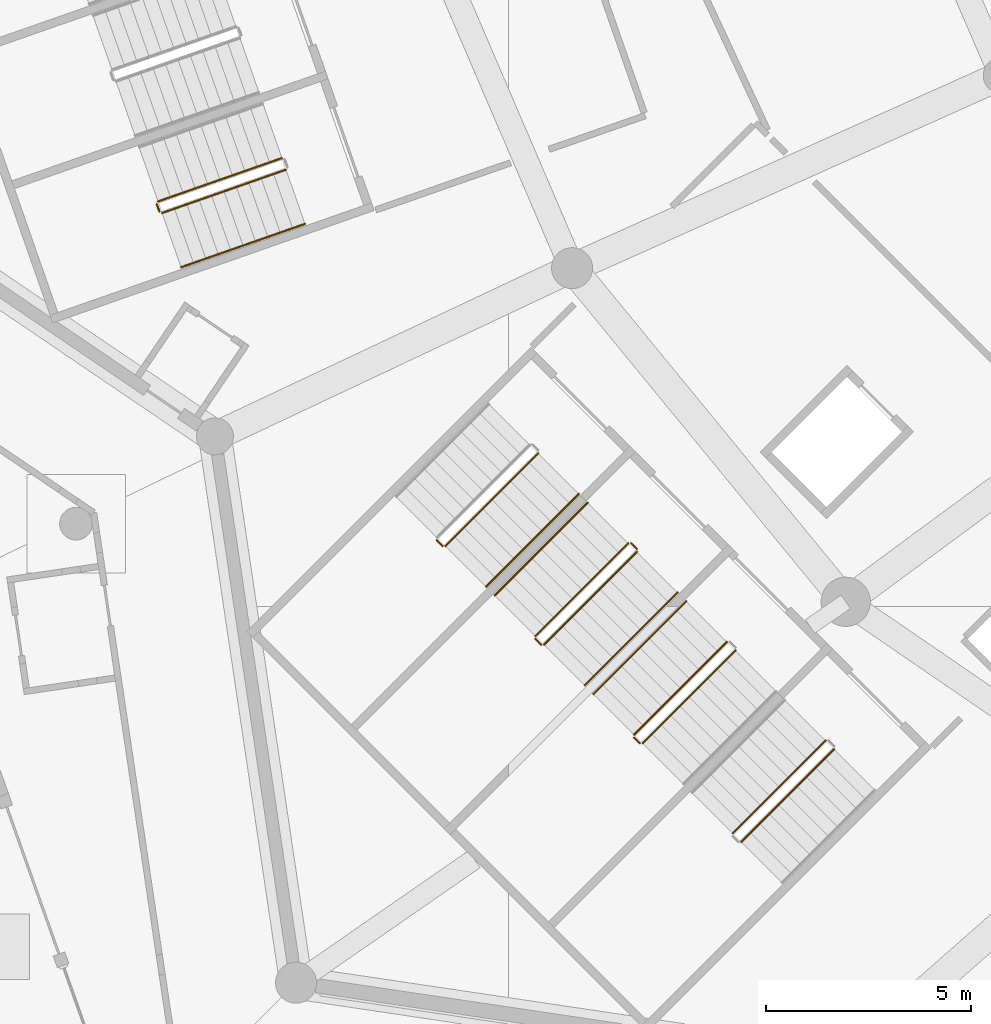
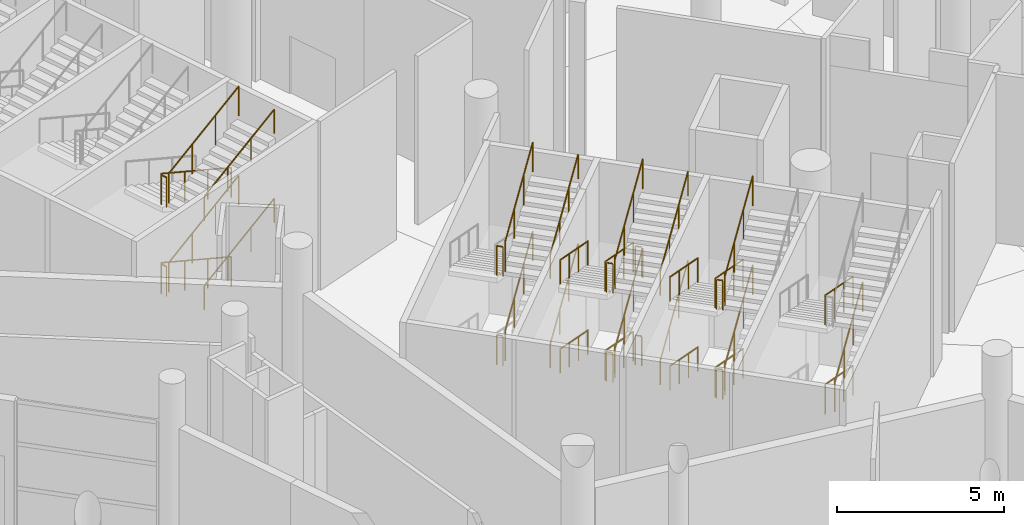
# One storey, part 186 of 255: 37 railings.
"""IFC4 building model written with IfcOpenShell, lengths in metres."""

from ifc_helpers import new_model, si_unit, direction, frame, origin, origin_2d, place, context, subcontext, project, spatial, circle, extrude, material, type_object, element, save


model = new_model("IFC4")

# Units and contexts
model_context = context("Model", 3, precision=1e-05, world=origin(), true_north=direction((0.0, 1.0)))
body_context = subcontext(model_context, "Body", "Model", "MODEL_VIEW")
ifc_project = project(units=[si_unit("LENGTHUNIT", "METRE"), si_unit("AREAUNIT", "SQUARE_METRE"), si_unit("VOLUMEUNIT", "CUBIC_METRE"), si_unit("PLANEANGLEUNIT", "RADIAN"), si_unit("MASSUNIT", "GRAM", prefix="KILO")], contexts=[model_context])

# Site, building, storey
site_placement = place(None, origin())
site = spatial("IfcSite", under=ifc_project, at=site_placement, CompositionType="ELEMENT")
building_placement = place(site_placement, origin())
building = spatial("IfcBuilding", under=site, at=building_placement, Name="Meseta Stadium", CompositionType="ELEMENT")
storey_placement = place(building_placement, origin())
storey = spatial("IfcBuildingStorey", under=building, at=storey_placement, Name="L00", CompositionType="ELEMENT", Elevation=0.0)

# Railings
ifc_material_1 = material(Name="Steel S355", Category="steel")
railing_type_1 = type_object("IfcRailingType", Name="Stair guard 1100", PredefinedType="GUARDRAIL", material=ifc_material_1)
railing_1_placement = place(storey_placement, frame((-85.518310546875, -69.072509765625, 0.147705078125)))
element("IfcRailing", 1, at=railing_1_placement, inside=storey, type_object=railing_type_1, Name="ST80 L00 guard 1", PredefinedType="GUARDRAIL", context=body_context, shape_type="SweptSolid", body=[
    extrude(circle(Radius=0.02392578125, at=origin_2d()), frame((0.0, 0.0, 1.076171875), z_axis=(-0.856976550022, -0.299858671601, 0.419137172986), x_axis=(0.330268863922, -0.943886898693, 0.0)), (0.0, 0.0, 1.0), 3.524658203125),
    extrude(circle(Radius=0.02099609375, at=origin_2d()), origin(), (0.0, 0.0, 1.0), 1.052001953125),
    extrude(circle(Radius=0.02099609375, at=origin_2d()), frame((-1.0068359375, -0.352294921875, 0.492431640625)), (0.0, 0.0, 1.0), 1.052001953125),
    extrude(circle(Radius=0.02099609375, at=origin_2d()), frame((-2.013671875, -0.70458984375, 0.98486328125)), (0.0, 0.0, 1.0), 1.052001953125),
    extrude(circle(Radius=0.02099609375, at=origin_2d()), frame((-3.0205078125, -1.056884765625, 1.477294921875)), (0.0, 0.0, 1.0), 1.052001953125),
])
railing_2_placement = place(storey_placement, frame((-88.569580078125, -70.19287109375, 1.625)))
element("IfcRailing", 2, at=railing_2_placement, inside=storey, type_object=railing_type_1, Name="ST80 L00 guard 2", PredefinedType="GUARDRAIL", context=body_context, shape_type="SweptSolid", body=[
    extrude(circle(Radius=0.02392578125, at=origin_2d()), frame((0.0, 0.0, 1.076171875), z_axis=(0.330459055601, -0.943820328543, 0.0), x_axis=(0.943820328543, 0.330459055601, 0.0)), (0.0, 0.0, 1.0), 0.2001953125),
    extrude(circle(Radius=0.02099609375, at=origin_2d()), origin(), (0.0, 0.0, 1.0), 1.052001953125),
    extrude(circle(Radius=0.02099609375, at=origin_2d()), frame((0.066162109375, -0.18896484375, 0.0)), (0.0, 0.0, 1.0), 1.052001953125),
])
railing_3_placement = place(storey_placement, frame((-88.439697265625, -70.412353515625, 1.772705078125)))
element("IfcRailing", 3, at=railing_3_placement, inside=storey, type_object=railing_type_1, Name="ST80 L00 guard 3", PredefinedType="GUARDRAIL", context=body_context, shape_type="SweptSolid", body=[
    extrude(circle(Radius=0.02392578125, at=origin_2d()), frame((0.0, 0.0, 1.076171875), z_axis=(0.856958151566, 0.299876472244, 0.419162054412), x_axis=(-0.330292648585, 0.943878576031, 0.0)), (0.0, 0.0, 1.0), 3.5244140625),
    extrude(circle(Radius=0.02099609375, at=origin_2d()), origin(), (0.0, 0.0, 1.0), 1.052001953125),
    extrude(circle(Radius=0.02099609375, at=origin_2d()), frame((1.0068359375, 0.352294921875, 0.492431640625)), (0.0, 0.0, 1.0), 1.052001953125),
    extrude(circle(Radius=0.02099609375, at=origin_2d()), frame((2.013427734375, 0.70458984375, 0.98486328125)), (0.0, 0.0, 1.0), 1.052001953125),
    extrude(circle(Radius=0.02099609375, at=origin_2d()), frame((3.020263671875, 1.056884765625, 1.477294921875)), (0.0, 0.0, 1.0), 1.052001953125),
])
railing_4_placement = place(storey_placement, frame((-85.518310546875, -69.072509765625, 3.397705078125)))
element("IfcRailing", 4, at=railing_4_placement, inside=storey, type_object=railing_type_1, Name="ST80 L00 guard 5", PredefinedType="GUARDRAIL", context=body_context, shape_type="SweptSolid", body=[
    extrude(circle(Radius=0.02392578125, at=origin_2d()), frame((0.0, 0.0, 1.076171875), z_axis=(-0.856976550022, -0.299858671601, 0.419137172986), x_axis=(0.330268863922, -0.943886898693, 0.0)), (0.0, 0.0, 1.0), 3.524658203125),
    extrude(circle(Radius=0.02099609375, at=origin_2d()), origin(), (0.0, 0.0, 1.0), 1.052001953125),
    extrude(circle(Radius=0.02099609375, at=origin_2d()), frame((-1.0068359375, -0.352294921875, 0.492431640625)), (0.0, 0.0, 1.0), 1.052001953125),
    extrude(circle(Radius=0.02099609375, at=origin_2d()), frame((-2.013671875, -0.70458984375, 0.98486328125)), (0.0, 0.0, 1.0), 1.052001953125),
    extrude(circle(Radius=0.02099609375, at=origin_2d()), frame((-3.0205078125, -1.056884765625, 1.477294921875)), (0.0, 0.0, 1.0), 1.052001953125),
])
railing_5_placement = place(storey_placement, frame((-88.569580078125, -70.19287109375, 4.875)))
element("IfcRailing", 5, at=railing_5_placement, inside=storey, type_object=railing_type_1, Name="ST80 L00 guard 6", PredefinedType="GUARDRAIL", context=body_context, shape_type="SweptSolid", body=[
    extrude(circle(Radius=0.02392578125, at=origin_2d()), frame((0.0, 0.0, 1.076171875), z_axis=(0.330459055601, -0.943820328543, 0.0), x_axis=(0.943820328543, 0.330459055601, 0.0)), (0.0, 0.0, 1.0), 0.2001953125),
    extrude(circle(Radius=0.02099609375, at=origin_2d()), origin(), (0.0, 0.0, 1.0), 1.052001953125),
    extrude(circle(Radius=0.02099609375, at=origin_2d()), frame((0.066162109375, -0.18896484375, 0.0)), (0.0, 0.0, 1.0), 1.052001953125),
])
railing_6_placement = place(storey_placement, frame((-88.439697265625, -70.412353515625, 5.022705078125)))
element("IfcRailing", 6, at=railing_6_placement, inside=storey, type_object=railing_type_1, Name="ST80 L00 guard 7", PredefinedType="GUARDRAIL", context=body_context, shape_type="SweptSolid", body=[
    extrude(circle(Radius=0.02392578125, at=origin_2d()), frame((0.0, 0.0, 1.076171875), z_axis=(0.856958151566, 0.299876472244, 0.419162054412), x_axis=(-0.330292648585, 0.943878576031, 0.0)), (0.0, 0.0, 1.0), 3.5244140625),
    extrude(circle(Radius=0.02099609375, at=origin_2d()), origin(), (0.0, 0.0, 1.0), 1.052001953125),
    extrude(circle(Radius=0.02099609375, at=origin_2d()), frame((1.0068359375, 0.352294921875, 0.492431640625)), (0.0, 0.0, 1.0), 1.052001953125),
    extrude(circle(Radius=0.02099609375, at=origin_2d()), frame((2.013427734375, 0.70458984375, 0.98486328125)), (0.0, 0.0, 1.0), 1.052001953125),
    extrude(circle(Radius=0.02099609375, at=origin_2d()), frame((3.020263671875, 1.056884765625, 1.477294921875)), (0.0, 0.0, 1.0), 1.052001953125),
])
railing_7_placement = place(storey_placement, frame((-81.744140625, -78.390380859375, 1.625)))
element("IfcRailing", 7, at=railing_7_placement, inside=storey, type_object=railing_type_1, Name="ST81 L00 guard 2", PredefinedType="GUARDRAIL", context=body_context, shape_type="SweptSolid", body=[
    extrude(circle(Radius=0.02392578125, at=origin_2d()), frame((0.0, 0.0, 1.076171875), z_axis=(0.707106781187, -0.707106781187, 0.0), x_axis=(0.707106781187, 0.707106781187, 0.0)), (0.0, 0.0, 1.0), 0.199951171875),
    extrude(circle(Radius=0.02099609375, at=origin_2d()), origin(), (0.0, 0.0, 1.0), 1.052001953125),
    extrude(circle(Radius=0.02099609375, at=origin_2d()), frame((0.141357421875, -0.141357421875, 0.0)), (0.0, 0.0, 1.0), 1.052001953125),
])
railing_8_placement = place(storey_placement, frame((-81.5322265625, -78.53173828125, 1.772705078125)))
element("IfcRailing", 8, at=railing_8_placement, inside=storey, type_object=railing_type_1, Name="ST81 L00 guard 3", PredefinedType="GUARDRAIL", context=body_context, shape_type="SweptSolid", body=[
    extrude(circle(Radius=0.02392578125, at=origin_2d()), frame((0.0, 0.0, 1.076171875), z_axis=(0.642034255088, 0.641964988257, 0.419133593434), x_axis=(-0.707068634461, 0.707144925854, 0.0)), (0.0, 0.0, 1.0), 3.524658203125),
    extrude(circle(Radius=0.02099609375, at=origin_2d()), origin(), (0.0, 0.0, 1.0), 1.052001953125),
    extrude(circle(Radius=0.02099609375, at=origin_2d()), frame((0.75439453125, 0.754150390625, 0.492431640625)), (0.0, 0.0, 1.0), 1.052001953125),
    extrude(circle(Radius=0.02099609375, at=origin_2d()), frame((1.508544921875, 1.508544921875, 0.98486328125)), (0.0, 0.0, 1.0), 1.052001953125),
    extrude(circle(Radius=0.02099609375, at=origin_2d()), frame((2.262939453125, 2.2626953125, 1.477294921875)), (0.0, 0.0, 1.0), 1.052001953125),
])
railing_9_placement = place(storey_placement, frame((-81.744140625, -78.390380859375, 4.875)))
element("IfcRailing", 9, at=railing_9_placement, inside=storey, type_object=railing_type_1, Name="ST81 L00 guard 6", PredefinedType="GUARDRAIL", context=body_context, shape_type="SweptSolid", body=[
    extrude(circle(Radius=0.02392578125, at=origin_2d()), frame((0.0, 0.0, 1.076171875), z_axis=(0.707106781187, -0.707106781187, 0.0), x_axis=(0.707106781187, 0.707106781187, 0.0)), (0.0, 0.0, 1.0), 0.199951171875),
    extrude(circle(Radius=0.02099609375, at=origin_2d()), origin(), (0.0, 0.0, 1.0), 1.052001953125),
    extrude(circle(Radius=0.02099609375, at=origin_2d()), frame((0.141357421875, -0.141357421875, 0.0)), (0.0, 0.0, 1.0), 1.052001953125),
])
railing_10_placement = place(storey_placement, frame((-81.5322265625, -78.53173828125, 5.022705078125)))
element("IfcRailing", 10, at=railing_10_placement, inside=storey, type_object=railing_type_1, Name="ST81 L00 guard 7", PredefinedType="GUARDRAIL", context=body_context, shape_type="SweptSolid", body=[
    extrude(circle(Radius=0.02392578125, at=origin_2d()), frame((0.0, 0.0, 1.076171875), z_axis=(0.642034255088, 0.641964988257, 0.419133593434), x_axis=(-0.707068634461, 0.707144925854, 0.0)), (0.0, 0.0, 1.0), 3.524658203125),
    extrude(circle(Radius=0.02099609375, at=origin_2d()), origin(), (0.0, 0.0, 1.0), 1.052001953125),
    extrude(circle(Radius=0.02099609375, at=origin_2d()), frame((0.75439453125, 0.754150390625, 0.492431640625)), (0.0, 0.0, 1.0), 1.052001953125),
    extrude(circle(Radius=0.02099609375, at=origin_2d()), frame((1.508544921875, 1.508544921875, 0.98486328125)), (0.0, 0.0, 1.0), 1.052001953125),
    extrude(circle(Radius=0.02099609375, at=origin_2d()), frame((2.262939453125, 2.2626953125, 1.477294921875)), (0.0, 0.0, 1.0), 1.052001953125),
])
railing_11_placement = place(storey_placement, frame((-77.077392578125, -78.4609375, 0.147705078125)))
element("IfcRailing", 11, at=railing_11_placement, inside=storey, type_object=railing_type_1, Name="ST82 L00 guard 1", PredefinedType="GUARDRAIL", context=body_context, shape_type="SweptSolid", body=[
    extrude(circle(Radius=0.02392578125, at=origin_2d()), frame((0.0, 0.0, 1.076171875), z_axis=(-0.641964988257, -0.642034255088, 0.419133593434), x_axis=(0.707144925854, -0.707068634461, 0.0)), (0.0, 0.0, 1.0), 3.524658203125),
    extrude(circle(Radius=0.02099609375, at=origin_2d()), origin(), (0.0, 0.0, 1.0), 1.052001953125),
    extrude(circle(Radius=0.02099609375, at=origin_2d()), frame((-0.754150390625, -0.75439453125, 0.492431640625)), (0.0, 0.0, 1.0), 1.052001953125),
    extrude(circle(Radius=0.02099609375, at=origin_2d()), frame((-1.508544921875, -1.508544921875, 0.98486328125)), (0.0, 0.0, 1.0), 1.052001953125),
    extrude(circle(Radius=0.02099609375, at=origin_2d()), frame((-2.2626953125, -2.262939453125, 1.477294921875)), (0.0, 0.0, 1.0), 1.052001953125),
])
railing_12_placement = place(storey_placement, frame((-79.340087890625, -80.79443359375, 1.625)))
element("IfcRailing", 12, at=railing_12_placement, inside=storey, type_object=railing_type_1, Name="ST82 L00 guard 2", PredefinedType="GUARDRAIL", context=body_context, shape_type="SweptSolid", body=[
    extrude(circle(Radius=0.02392578125, at=origin_2d()), frame((0.0, 0.0, 1.076171875), z_axis=(0.706496417452, -0.707716618519, 0.0), x_axis=(0.707716618519, 0.706496417452, 0.0)), (0.0, 0.0, 1.0), 0.2001953125),
    extrude(circle(Radius=0.02099609375, at=origin_2d()), origin(), (0.0, 0.0, 1.0), 1.052001953125),
    extrude(circle(Radius=0.02099609375, at=origin_2d()), frame((0.141357421875, -0.1416015625, 0.0)), (0.0, 0.0, 1.0), 1.052001953125),
])
railing_13_placement = place(storey_placement, frame((-79.1279296875, -80.93603515625, 1.772705078125)))
element("IfcRailing", 13, at=railing_13_placement, inside=storey, type_object=railing_type_1, Name="ST82 L00 guard 3", PredefinedType="GUARDRAIL", context=body_context, shape_type="SweptSolid", body=[
    extrude(circle(Radius=0.02392578125, at=origin_2d()), frame((0.0, 0.0, 1.076171875), z_axis=(0.641964988257, 0.642034255088, 0.419133593434), x_axis=(-0.707144925854, 0.707068634461, 0.0)), (0.0, 0.0, 1.0), 3.524658203125),
    extrude(circle(Radius=0.02099609375, at=origin_2d()), origin(), (0.0, 0.0, 1.0), 1.052001953125),
    extrude(circle(Radius=0.02099609375, at=origin_2d()), frame((0.754150390625, 0.75439453125, 0.492431640625)), (0.0, 0.0, 1.0), 1.052001953125),
    extrude(circle(Radius=0.02099609375, at=origin_2d()), frame((1.508544921875, 1.508544921875, 0.98486328125)), (0.0, 0.0, 1.0), 1.052001953125),
    extrude(circle(Radius=0.02099609375, at=origin_2d()), frame((2.2626953125, 2.262939453125, 1.477294921875)), (0.0, 0.0, 1.0), 1.052001953125),
])
railing_14_placement = place(storey_placement, frame((-77.006591796875, -78.4609375, 3.25)))
element("IfcRailing", 14, at=railing_14_placement, inside=storey, type_object=railing_type_1, Name="ST82 L00 guard 4", PredefinedType="GUARDRAIL", context=body_context, shape_type="SweptSolid", body=[
    extrude(circle(Radius=0.02392578125, at=origin_2d()), frame((0.0, 0.0, 1.076171875), z_axis=(0.706496417452, -0.707716618519, 0.0), x_axis=(0.707716618519, 0.706496417452, 0.0)), (0.0, 0.0, 1.0), 0.2001953125),
    extrude(circle(Radius=0.02099609375, at=origin_2d()), origin(), (0.0, 0.0, 1.0), 1.052001953125),
    extrude(circle(Radius=0.02099609375, at=origin_2d()), frame((0.141357421875, -0.1416015625, 0.0)), (0.0, 0.0, 1.0), 1.052001953125),
])
railing_15_placement = place(storey_placement, frame((-77.077392578125, -78.4609375, 3.397705078125)))
element("IfcRailing", 15, at=railing_15_placement, inside=storey, type_object=railing_type_1, Name="ST82 L00 guard 5", PredefinedType="GUARDRAIL", context=body_context, shape_type="SweptSolid", body=[
    extrude(circle(Radius=0.02392578125, at=origin_2d()), frame((0.0, 0.0, 1.076171875), z_axis=(-0.641964988257, -0.642034255088, 0.419133593434), x_axis=(0.707144925854, -0.707068634461, 0.0)), (0.0, 0.0, 1.0), 3.524658203125),
    extrude(circle(Radius=0.02099609375, at=origin_2d()), origin(), (0.0, 0.0, 1.0), 1.052001953125),
    extrude(circle(Radius=0.02099609375, at=origin_2d()), frame((-0.754150390625, -0.75439453125, 0.492431640625)), (0.0, 0.0, 1.0), 1.052001953125),
    extrude(circle(Radius=0.02099609375, at=origin_2d()), frame((-1.508544921875, -1.508544921875, 0.98486328125)), (0.0, 0.0, 1.0), 1.052001953125),
    extrude(circle(Radius=0.02099609375, at=origin_2d()), frame((-2.2626953125, -2.262939453125, 1.477294921875)), (0.0, 0.0, 1.0), 1.052001953125),
])
railing_16_placement = place(storey_placement, frame((-79.340087890625, -80.79443359375, 4.875)))
element("IfcRailing", 16, at=railing_16_placement, inside=storey, type_object=railing_type_1, Name="ST82 L00 guard 6", PredefinedType="GUARDRAIL", context=body_context, shape_type="SweptSolid", body=[
    extrude(circle(Radius=0.02392578125, at=origin_2d()), frame((0.0, 0.0, 1.076171875), z_axis=(0.706496417452, -0.707716618519, 0.0), x_axis=(0.707716618519, 0.706496417452, 0.0)), (0.0, 0.0, 1.0), 0.2001953125),
    extrude(circle(Radius=0.02099609375, at=origin_2d()), origin(), (0.0, 0.0, 1.0), 1.052001953125),
    extrude(circle(Radius=0.02099609375, at=origin_2d()), frame((0.141357421875, -0.1416015625, 0.0)), (0.0, 0.0, 1.0), 1.052001953125),
])
railing_17_placement = place(storey_placement, frame((-79.1279296875, -80.93603515625, 5.022705078125)))
element("IfcRailing", 17, at=railing_17_placement, inside=storey, type_object=railing_type_1, Name="ST82 L00 guard 7", PredefinedType="GUARDRAIL", context=body_context, shape_type="SweptSolid", body=[
    extrude(circle(Radius=0.02392578125, at=origin_2d()), frame((0.0, 0.0, 1.076171875), z_axis=(0.641964988257, 0.642034255088, 0.419133593434), x_axis=(-0.707144925854, 0.707068634461, 0.0)), (0.0, 0.0, 1.0), 3.524658203125),
    extrude(circle(Radius=0.02099609375, at=origin_2d()), origin(), (0.0, 0.0, 1.0), 1.052001953125),
    extrude(circle(Radius=0.02099609375, at=origin_2d()), frame((0.754150390625, 0.75439453125, 0.492431640625)), (0.0, 0.0, 1.0), 1.052001953125),
    extrude(circle(Radius=0.02099609375, at=origin_2d()), frame((1.508544921875, 1.508544921875, 0.98486328125)), (0.0, 0.0, 1.0), 1.052001953125),
    extrude(circle(Radius=0.02099609375, at=origin_2d()), frame((2.2626953125, 2.262939453125, 1.477294921875)), (0.0, 0.0, 1.0), 1.052001953125),
])
railing_18_placement = place(storey_placement, frame((-77.006591796875, -78.4609375, 0.0)))
element("IfcRailing", 18, at=railing_18_placement, inside=storey, type_object=railing_type_1, Name="ST82 L00 guard 8", PredefinedType="GUARDRAIL", context=body_context, shape_type="SweptSolid", body=[
    extrude(circle(Radius=0.02392578125, at=origin_2d()), frame((0.0, 0.0, 1.076171875), z_axis=(0.706496417452, -0.707716618519, 0.0), x_axis=(0.707716618519, 0.706496417452, 0.0)), (0.0, 0.0, 1.0), 0.2001953125),
    extrude(circle(Radius=0.02099609375, at=origin_2d()), origin(), (0.0, 0.0, 1.0), 1.052001953125),
    extrude(circle(Radius=0.02099609375, at=origin_2d()), frame((0.141357421875, -0.1416015625, 0.0)), (0.0, 0.0, 1.0), 1.052001953125),
])
railing_19_placement = place(storey_placement, frame((-74.673095703125, -80.865234375, 0.147705078125)))
element("IfcRailing", 19, at=railing_19_placement, inside=storey, type_object=railing_type_1, Name="ST83 L00 guard 1", PredefinedType="GUARDRAIL", context=body_context, shape_type="SweptSolid", body=[
    extrude(circle(Radius=0.02392578125, at=origin_2d()), frame((0.0, 0.0, 1.076171875), z_axis=(-0.642034255088, -0.641964988257, 0.419133593434), x_axis=(0.707068634461, -0.707144925854, 0.0)), (0.0, 0.0, 1.0), 3.524658203125),
    extrude(circle(Radius=0.02099609375, at=origin_2d()), origin(), (0.0, 0.0, 1.0), 1.052001953125),
    extrude(circle(Radius=0.02099609375, at=origin_2d()), frame((-0.75439453125, -0.754150390625, 0.492431640625)), (0.0, 0.0, 1.0), 1.052001953125),
    extrude(circle(Radius=0.02099609375, at=origin_2d()), frame((-1.508544921875, -1.508544921875, 0.98486328125)), (0.0, 0.0, 1.0), 1.052001953125),
    extrude(circle(Radius=0.02099609375, at=origin_2d()), frame((-2.262939453125, -2.2626953125, 1.477294921875)), (0.0, 0.0, 1.0), 1.052001953125),
])
railing_20_placement = place(storey_placement, frame((-76.93603515625, -83.19873046875, 1.625)))
element("IfcRailing", 20, at=railing_20_placement, inside=storey, type_object=railing_type_1, Name="ST83 L00 guard 2", PredefinedType="GUARDRAIL", context=body_context, shape_type="SweptSolid", body=[
    extrude(circle(Radius=0.02392578125, at=origin_2d()), frame((0.0, 0.0, 1.076171875), z_axis=(0.707716618519, -0.706496417452, 0.0), x_axis=(0.706496417452, 0.707716618519, 0.0)), (0.0, 0.0, 1.0), 0.2001953125),
    extrude(circle(Radius=0.02099609375, at=origin_2d()), origin(), (0.0, 0.0, 1.0), 1.052001953125),
    extrude(circle(Radius=0.02099609375, at=origin_2d()), frame((0.1416015625, -0.141357421875, 0.0)), (0.0, 0.0, 1.0), 1.052001953125),
])
railing_21_placement = place(storey_placement, frame((-76.723876953125, -83.340087890625, 1.772705078125)))
element("IfcRailing", 21, at=railing_21_placement, inside=storey, type_object=railing_type_1, Name="ST83 L00 guard 3", PredefinedType="GUARDRAIL", context=body_context, shape_type="SweptSolid", body=[
    extrude(circle(Radius=0.02392578125, at=origin_2d()), frame((0.0, 0.0, 1.076171875), z_axis=(0.642034255088, 0.641964988257, 0.419133593434), x_axis=(-0.707068634461, 0.707144925854, 0.0)), (0.0, 0.0, 1.0), 3.524658203125),
    extrude(circle(Radius=0.02099609375, at=origin_2d()), origin(), (0.0, 0.0, 1.0), 1.052001953125),
    extrude(circle(Radius=0.02099609375, at=origin_2d()), frame((0.75439453125, 0.754150390625, 0.492431640625)), (0.0, 0.0, 1.0), 1.052001953125),
    extrude(circle(Radius=0.02099609375, at=origin_2d()), frame((1.508544921875, 1.508544921875, 0.98486328125)), (0.0, 0.0, 1.0), 1.052001953125),
    extrude(circle(Radius=0.02099609375, at=origin_2d()), frame((2.262939453125, 2.2626953125, 1.477294921875)), (0.0, 0.0, 1.0), 1.052001953125),
])
railing_22_placement = place(storey_placement, frame((-74.673095703125, -80.865234375, 3.397705078125)))
element("IfcRailing", 22, at=railing_22_placement, inside=storey, type_object=railing_type_1, Name="ST83 L00 guard 5", PredefinedType="GUARDRAIL", context=body_context, shape_type="SweptSolid", body=[
    extrude(circle(Radius=0.02392578125, at=origin_2d()), frame((0.0, 0.0, 1.076171875), z_axis=(-0.642034255088, -0.641964988257, 0.419133593434), x_axis=(0.707068634461, -0.707144925854, 0.0)), (0.0, 0.0, 1.0), 3.524658203125),
    extrude(circle(Radius=0.02099609375, at=origin_2d()), origin(), (0.0, 0.0, 1.0), 1.052001953125),
    extrude(circle(Radius=0.02099609375, at=origin_2d()), frame((-0.75439453125, -0.754150390625, 0.492431640625)), (0.0, 0.0, 1.0), 1.052001953125),
    extrude(circle(Radius=0.02099609375, at=origin_2d()), frame((-1.508544921875, -1.508544921875, 0.98486328125)), (0.0, 0.0, 1.0), 1.052001953125),
    extrude(circle(Radius=0.02099609375, at=origin_2d()), frame((-2.262939453125, -2.2626953125, 1.477294921875)), (0.0, 0.0, 1.0), 1.052001953125),
])
railing_23_placement = place(storey_placement, frame((-76.93603515625, -83.19873046875, 4.875)))
element("IfcRailing", 23, at=railing_23_placement, inside=storey, type_object=railing_type_1, Name="ST83 L00 guard 6", PredefinedType="GUARDRAIL", context=body_context, shape_type="SweptSolid", body=[
    extrude(circle(Radius=0.02392578125, at=origin_2d()), frame((0.0, 0.0, 1.076171875), z_axis=(0.707716618519, -0.706496417452, 0.0), x_axis=(0.706496417452, 0.707716618519, 0.0)), (0.0, 0.0, 1.0), 0.2001953125),
    extrude(circle(Radius=0.02099609375, at=origin_2d()), origin(), (0.0, 0.0, 1.0), 1.052001953125),
    extrude(circle(Radius=0.02099609375, at=origin_2d()), frame((0.1416015625, -0.141357421875, 0.0)), (0.0, 0.0, 1.0), 1.052001953125),
])
railing_24_placement = place(storey_placement, frame((-76.723876953125, -83.340087890625, 5.022705078125)))
element("IfcRailing", 24, at=railing_24_placement, inside=storey, type_object=railing_type_1, Name="ST83 L00 guard 7", PredefinedType="GUARDRAIL", context=body_context, shape_type="SweptSolid", body=[
    extrude(circle(Radius=0.02392578125, at=origin_2d()), frame((0.0, 0.0, 1.076171875), z_axis=(0.642034255088, 0.641964988257, 0.419133593434), x_axis=(-0.707068634461, 0.707144925854, 0.0)), (0.0, 0.0, 1.0), 3.524658203125),
    extrude(circle(Radius=0.02099609375, at=origin_2d()), origin(), (0.0, 0.0, 1.0), 1.052001953125),
    extrude(circle(Radius=0.02099609375, at=origin_2d()), frame((0.75439453125, 0.754150390625, 0.492431640625)), (0.0, 0.0, 1.0), 1.052001953125),
    extrude(circle(Radius=0.02099609375, at=origin_2d()), frame((1.508544921875, 1.508544921875, 0.98486328125)), (0.0, 0.0, 1.0), 1.052001953125),
    extrude(circle(Radius=0.02099609375, at=origin_2d()), frame((2.262939453125, 2.2626953125, 1.477294921875)), (0.0, 0.0, 1.0), 1.052001953125),
])
railing_25_placement = place(storey_placement, frame((-72.26904296875, -83.269287109375, 0.147705078125)))
element("IfcRailing", 25, at=railing_25_placement, inside=storey, type_object=railing_type_1, Name="ST84 L00 guard 1", PredefinedType="GUARDRAIL", context=body_context, shape_type="SweptSolid", body=[
    extrude(circle(Radius=0.02392578125, at=origin_2d()), frame((0.0, 0.0, 1.076171875), z_axis=(-0.641964988257, -0.642034255088, 0.419133593434), x_axis=(0.707144925854, -0.707068634461, 0.0)), (0.0, 0.0, 1.0), 3.524658203125),
    extrude(circle(Radius=0.02099609375, at=origin_2d()), origin(), (0.0, 0.0, 1.0), 1.052001953125),
    extrude(circle(Radius=0.02099609375, at=origin_2d()), frame((-0.754150390625, -0.75439453125, 0.492431640625)), (0.0, 0.0, 1.0), 1.052001953125),
    extrude(circle(Radius=0.02099609375, at=origin_2d()), frame((-1.508544921875, -1.508544921875, 0.98486328125)), (0.0, 0.0, 1.0), 1.052001953125),
    extrude(circle(Radius=0.02099609375, at=origin_2d()), frame((-2.2626953125, -2.262939453125, 1.477294921875)), (0.0, 0.0, 1.0), 1.052001953125),
])
railing_26_placement = place(storey_placement, frame((-74.319580078125, -85.744140625, 1.772705078125)))
element("IfcRailing", 26, at=railing_26_placement, inside=storey, type_object=railing_type_1, Name="ST84 L00 guard 3", PredefinedType="GUARDRAIL", context=body_context, shape_type="SweptSolid", body=[
    extrude(circle(Radius=0.02392578125, at=origin_2d()), frame((0.0, 0.0, 1.076171875), z_axis=(0.641993537882, 0.641993537882, 0.419152233246), x_axis=(-0.707106781187, 0.707106781187, 0.0)), (0.0, 0.0, 1.0), 3.5244140625),
    extrude(circle(Radius=0.02099609375, at=origin_2d()), origin(), (0.0, 0.0, 1.0), 1.052001953125),
    extrude(circle(Radius=0.02099609375, at=origin_2d()), frame((0.754150390625, 0.754150390625, 0.492431640625)), (0.0, 0.0, 1.0), 1.052001953125),
    extrude(circle(Radius=0.02099609375, at=origin_2d()), frame((1.508544921875, 1.508544921875, 0.98486328125)), (0.0, 0.0, 1.0), 1.052001953125),
    extrude(circle(Radius=0.02099609375, at=origin_2d()), frame((2.2626953125, 2.2626953125, 1.477294921875)), (0.0, 0.0, 1.0), 1.052001953125),
])
railing_27_placement = place(storey_placement, frame((-72.26904296875, -83.269287109375, 3.397705078125)))
element("IfcRailing", 27, at=railing_27_placement, inside=storey, type_object=railing_type_1, Name="ST84 L00 guard 5", PredefinedType="GUARDRAIL", context=body_context, shape_type="SweptSolid", body=[
    extrude(circle(Radius=0.02392578125, at=origin_2d()), frame((0.0, 0.0, 1.076171875), z_axis=(-0.641964988257, -0.642034255088, 0.419133593434), x_axis=(0.707144925854, -0.707068634461, 0.0)), (0.0, 0.0, 1.0), 3.524658203125),
    extrude(circle(Radius=0.02099609375, at=origin_2d()), origin(), (0.0, 0.0, 1.0), 1.052001953125),
    extrude(circle(Radius=0.02099609375, at=origin_2d()), frame((-0.754150390625, -0.75439453125, 0.492431640625)), (0.0, 0.0, 1.0), 1.052001953125),
    extrude(circle(Radius=0.02099609375, at=origin_2d()), frame((-1.508544921875, -1.508544921875, 0.98486328125)), (0.0, 0.0, 1.0), 1.052001953125),
    extrude(circle(Radius=0.02099609375, at=origin_2d()), frame((-2.2626953125, -2.262939453125, 1.477294921875)), (0.0, 0.0, 1.0), 1.052001953125),
])
ifc_material_2 = material(Name="Steel S355", Category="steel")
railing_type_2 = type_object("IfcRailingType", Name="Stair handrail 900", PredefinedType="HANDRAIL", material=ifc_material_2)
for number, where, name in (
    (28, (-87.977294921875, -71.73388671875, 1.772705078125), "ST80 L00 handrail 2"),
    (29, (-87.977294921875, -71.73388671875, 5.022705078125), "ST80 L00 handrail 4"),
):
    element("IfcRailing", number, at=place(storey_placement, frame(where)), inside=storey, type_object=railing_type_2, Name=name, PredefinedType="HANDRAIL", context=body_context, shape_type="SweptSolid", body=[
        extrude(circle(Radius=0.02392578125, at=origin_2d()), frame((0.0, 0.0, 0.8759765625), z_axis=(0.856958151566, 0.299876472244, 0.419162054412), x_axis=(-0.330292648585, 0.943878576031, 0.0)), (0.0, 0.0, 1.0), 3.5244140625),
        extrude(circle(Radius=0.02099609375, at=origin_2d()), origin(), (0.0, 0.0, 1.0), 0.851806640625),
        extrude(circle(Radius=0.02099609375, at=origin_2d()), frame((1.0068359375, 0.352294921875, 0.492431640625)), (0.0, 0.0, 1.0), 0.851806640625),
        extrude(circle(Radius=0.02099609375, at=origin_2d()), frame((2.013427734375, 0.70458984375, 0.98486328125)), (0.0, 0.0, 1.0), 0.851806640625),
        extrude(circle(Radius=0.02099609375, at=origin_2d()), frame((3.020263671875, 1.056884765625, 1.477294921875)), (0.0, 0.0, 1.0), 0.851806640625),
    ])
for number, where, name in (
    (30, (-80.542236328125, -79.521728515625, 1.772705078125), "ST81 L00 handrail 2"),
    (31, (-80.542236328125, -79.521728515625, 5.022705078125), "ST81 L00 handrail 4"),
):
    element("IfcRailing", number, at=place(storey_placement, frame(where)), inside=storey, type_object=railing_type_2, Name=name, PredefinedType="HANDRAIL", context=body_context, shape_type="SweptSolid", body=[
        extrude(circle(Radius=0.02392578125, at=origin_2d()), frame((0.0, 0.0, 0.8759765625), z_axis=(0.641993537882, 0.641993537882, 0.419152233246), x_axis=(-0.707106781187, 0.707106781187, 0.0)), (0.0, 0.0, 1.0), 3.5244140625),
        extrude(circle(Radius=0.02099609375, at=origin_2d()), origin(), (0.0, 0.0, 1.0), 0.851806640625),
        extrude(circle(Radius=0.02099609375, at=origin_2d()), frame((0.754150390625, 0.754150390625, 0.492431640625)), (0.0, 0.0, 1.0), 0.851806640625),
        extrude(circle(Radius=0.02099609375, at=origin_2d()), frame((1.508544921875, 1.508544921875, 0.98486328125)), (0.0, 0.0, 1.0), 0.851806640625),
        extrude(circle(Radius=0.02099609375, at=origin_2d()), frame((2.2626953125, 2.2626953125, 1.477294921875)), (0.0, 0.0, 1.0), 0.851806640625),
    ])
railing_28_placement = place(storey_placement, frame((-78.0673828125, -77.47119140625, 0.147705078125)))
element("IfcRailing", 32, at=railing_28_placement, inside=storey, type_object=railing_type_2, Name="ST82 L00 handrail 1", PredefinedType="HANDRAIL", context=body_context, shape_type="SweptSolid", body=[
    extrude(circle(Radius=0.02392578125, at=origin_2d()), frame((0.0, 0.0, 0.8759765625), z_axis=(-0.641993537882, -0.641993537882, 0.419152233246), x_axis=(0.707106781187, -0.707106781187, 0.0)), (0.0, 0.0, 1.0), 3.5244140625),
    extrude(circle(Radius=0.02099609375, at=origin_2d()), origin(), (0.0, 0.0, 1.0), 0.851806640625),
    extrude(circle(Radius=0.02099609375, at=origin_2d()), frame((-0.754150390625, -0.754150390625, 0.492431640625)), (0.0, 0.0, 1.0), 0.851806640625),
    extrude(circle(Radius=0.02099609375, at=origin_2d()), frame((-1.508544921875, -1.508544921875, 0.98486328125)), (0.0, 0.0, 1.0), 0.851806640625),
    extrude(circle(Radius=0.02099609375, at=origin_2d()), frame((-2.2626953125, -2.2626953125, 1.477294921875)), (0.0, 0.0, 1.0), 0.851806640625),
])
railing_29_placement = place(storey_placement, frame((-78.137939453125, -81.92578125, 1.772705078125)))
element("IfcRailing", 33, at=railing_29_placement, inside=storey, type_object=railing_type_2, Name="ST82 L00 handrail 2", PredefinedType="HANDRAIL", context=body_context, shape_type="SweptSolid", body=[
    extrude(circle(Radius=0.02392578125, at=origin_2d()), frame((0.0, 0.0, 0.8759765625), z_axis=(0.641993537882, 0.641993537882, 0.419152233246), x_axis=(-0.707106781187, 0.707106781187, 0.0)), (0.0, 0.0, 1.0), 3.5244140625),
    extrude(circle(Radius=0.02099609375, at=origin_2d()), origin(), (0.0, 0.0, 1.0), 0.851806640625),
    extrude(circle(Radius=0.02099609375, at=origin_2d()), frame((0.754150390625, 0.754150390625, 0.492431640625)), (0.0, 0.0, 1.0), 0.851806640625),
    extrude(circle(Radius=0.02099609375, at=origin_2d()), frame((1.508544921875, 1.508544921875, 0.98486328125)), (0.0, 0.0, 1.0), 0.851806640625),
    extrude(circle(Radius=0.02099609375, at=origin_2d()), frame((2.2626953125, 2.2626953125, 1.477294921875)), (0.0, 0.0, 1.0), 0.851806640625),
])
railing_30_placement = place(storey_placement, frame((-78.0673828125, -77.47119140625, 3.397705078125)))
element("IfcRailing", 34, at=railing_30_placement, inside=storey, type_object=railing_type_2, Name="ST82 L00 handrail 3", PredefinedType="HANDRAIL", context=body_context, shape_type="SweptSolid", body=[
    extrude(circle(Radius=0.02392578125, at=origin_2d()), frame((0.0, 0.0, 0.8759765625), z_axis=(-0.641993537882, -0.641993537882, 0.419152233246), x_axis=(0.707106781187, -0.707106781187, 0.0)), (0.0, 0.0, 1.0), 3.5244140625),
    extrude(circle(Radius=0.02099609375, at=origin_2d()), origin(), (0.0, 0.0, 1.0), 0.851806640625),
    extrude(circle(Radius=0.02099609375, at=origin_2d()), frame((-0.754150390625, -0.754150390625, 0.492431640625)), (0.0, 0.0, 1.0), 0.851806640625),
    extrude(circle(Radius=0.02099609375, at=origin_2d()), frame((-1.508544921875, -1.508544921875, 0.98486328125)), (0.0, 0.0, 1.0), 0.851806640625),
    extrude(circle(Radius=0.02099609375, at=origin_2d()), frame((-2.2626953125, -2.2626953125, 1.477294921875)), (0.0, 0.0, 1.0), 0.851806640625),
])
railing_31_placement = place(storey_placement, frame((-78.137939453125, -81.92578125, 5.022705078125)))
element("IfcRailing", 35, at=railing_31_placement, inside=storey, type_object=railing_type_2, Name="ST82 L00 handrail 4", PredefinedType="HANDRAIL", context=body_context, shape_type="SweptSolid", body=[
    extrude(circle(Radius=0.02392578125, at=origin_2d()), frame((0.0, 0.0, 0.8759765625), z_axis=(0.641993537882, 0.641993537882, 0.419152233246), x_axis=(-0.707106781187, 0.707106781187, 0.0)), (0.0, 0.0, 1.0), 3.5244140625),
    extrude(circle(Radius=0.02099609375, at=origin_2d()), origin(), (0.0, 0.0, 1.0), 0.851806640625),
    extrude(circle(Radius=0.02099609375, at=origin_2d()), frame((0.754150390625, 0.754150390625, 0.492431640625)), (0.0, 0.0, 1.0), 0.851806640625),
    extrude(circle(Radius=0.02099609375, at=origin_2d()), frame((1.508544921875, 1.508544921875, 0.98486328125)), (0.0, 0.0, 1.0), 0.851806640625),
    extrude(circle(Radius=0.02099609375, at=origin_2d()), frame((2.2626953125, 2.2626953125, 1.477294921875)), (0.0, 0.0, 1.0), 0.851806640625),
])
for number, where, name in (
    (36, (-75.6630859375, -79.875244140625, 0.147705078125), "ST83 L00 handrail 1"),
    (37, (-75.6630859375, -79.875244140625, 3.397705078125), "ST83 L00 handrail 3"),
):
    element("IfcRailing", number, at=place(storey_placement, frame(where)), inside=storey, type_object=railing_type_2, Name=name, PredefinedType="HANDRAIL", context=body_context, shape_type="SweptSolid", body=[
        extrude(circle(Radius=0.02392578125, at=origin_2d()), frame((0.0, 0.0, 0.8759765625), z_axis=(-0.641993537882, -0.641993537882, 0.419152233246), x_axis=(0.707106781187, -0.707106781187, 0.0)), (0.0, 0.0, 1.0), 3.5244140625),
        extrude(circle(Radius=0.02099609375, at=origin_2d()), origin(), (0.0, 0.0, 1.0), 0.851806640625),
        extrude(circle(Radius=0.02099609375, at=origin_2d()), frame((-0.754150390625, -0.754150390625, 0.492431640625)), (0.0, 0.0, 1.0), 0.851806640625),
        extrude(circle(Radius=0.02099609375, at=origin_2d()), frame((-1.508544921875, -1.508544921875, 0.98486328125)), (0.0, 0.0, 1.0), 0.851806640625),
        extrude(circle(Radius=0.02099609375, at=origin_2d()), frame((-2.2626953125, -2.2626953125, 1.477294921875)), (0.0, 0.0, 1.0), 0.851806640625),
    ])

save(model, "model.ifc")
